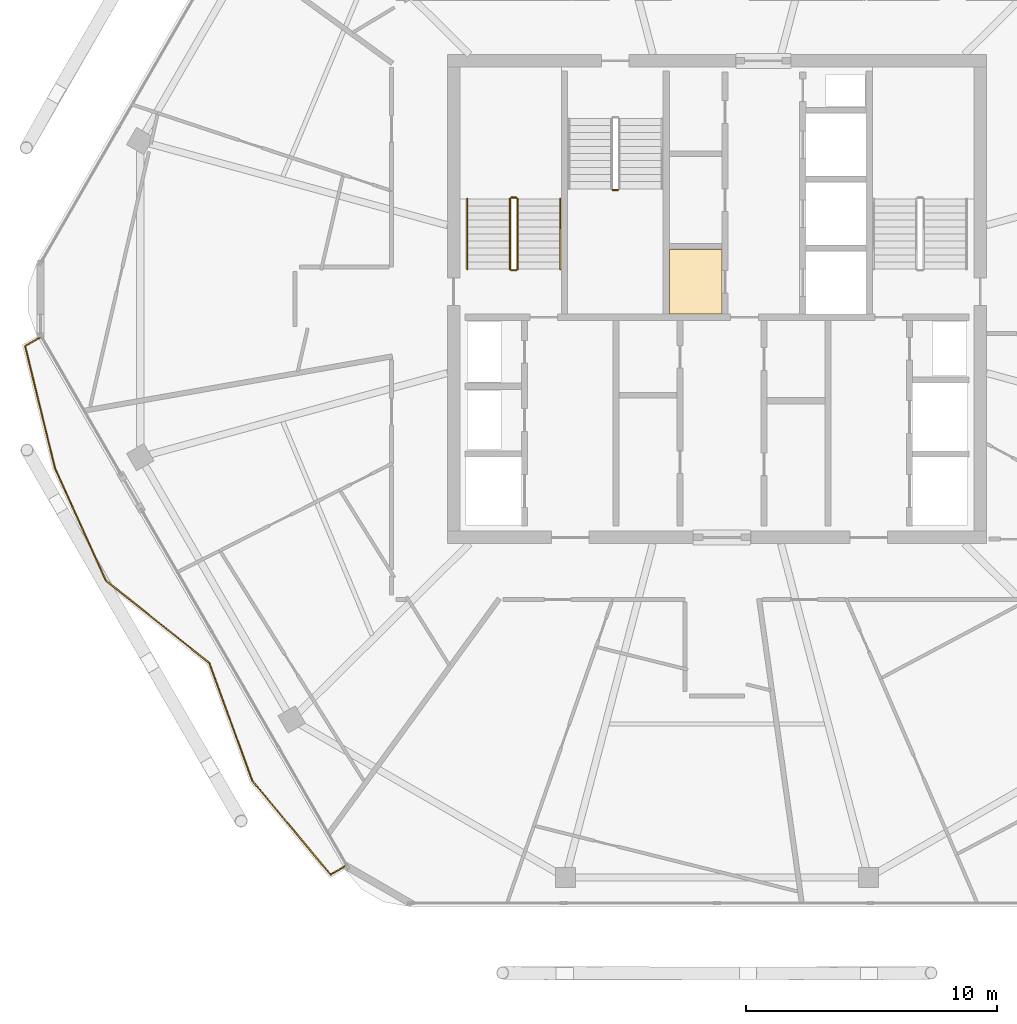
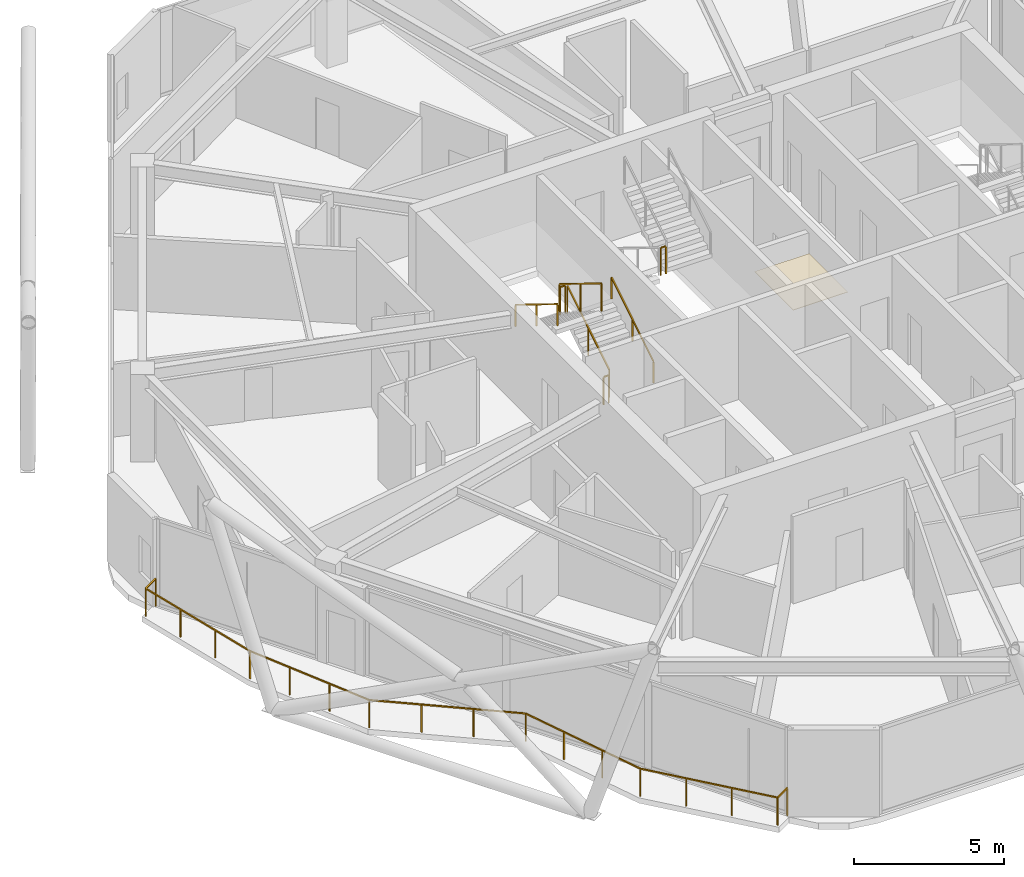
# One storey, part 22 of 24: 8 railings, 1 covering.
"""IFC4 building model written with IfcOpenShell, lengths in metres."""

from ifc_helpers import new_model, si_unit, direction, frame, origin, origin_2d, place, context, subcontext, project, spatial, polyline, rectangle, outline, extrude, material, layer, layer_set, type_object, element, save


model = new_model("IFC4")

# Units and contexts
model_context = context("Model", 3, precision=1e-05, world=origin(), true_north=direction((0.0, 1.0)))
body_context = subcontext(model_context, "Body", "Model", "MODEL_VIEW")
ifc_project = project(units=[si_unit("LENGTHUNIT", "METRE"), si_unit("AREAUNIT", "SQUARE_METRE"), si_unit("VOLUMEUNIT", "CUBIC_METRE"), si_unit("PLANEANGLEUNIT", "RADIAN"), si_unit("MASSUNIT", "GRAM", prefix="KILO")], contexts=[model_context])

# Site, building, storey
site_placement = place(None, origin())
site = spatial("IfcSite", under=ifc_project, at=site_placement, CompositionType="ELEMENT")
building_placement = place(site_placement, origin())
building = spatial("IfcBuilding", under=site, at=building_placement, Name="Zuhravey Tower", CompositionType="ELEMENT")
storey_placement = place(building_placement, frame((0.0, 0.0, 308.199951171875)))
storey = spatial("IfcBuildingStorey", under=building, at=storey_placement, Name="L78", CompositionType="ELEMENT", Elevation=308.199951171875)

# Railing
ifc_material_1 = material(Name="Stainless steel 316 and laminated glass", Category="steel")
railing_type_1 = type_object("IfcRailingType", Name="Balcony & Terrace Guardrail 1150", PredefinedType="BALUSTRADE", material=ifc_material_1)
railing_1_placement = place(storey_placement, frame((21.16162109375, 9.382568359375, 0.0)))
element("IfcRailing", 1, at=railing_1_placement, inside=storey, type_object=railing_type_1, Name="L78 Face 4 Wave Balcony Guardrail GR1", PredefinedType="BALUSTRADE", context=body_context, shape_type="SweptSolid", body=[
    extrude(rectangle(XDim=0.048095703125, YDim=0.048095703125, at=origin_2d()), frame((-0.001708984375, -0.0009765625, 1.1259765625), z_axis=(-0.866011978186, -0.500023253097, 0.0), x_axis=(0.500023253097, -0.866011978186, 0.0)), (0.0, 0.0, 1.0), 0.651611328125),
    extrude(rectangle(XDim=0.048095703125, YDim=0.048095703125, at=origin_2d()), frame((-0.569091796875, -0.326416015625, 1.1259765625), z_axis=(-0.640277921962, 0.768143334703, 0.0), x_axis=(-0.768143334703, -0.640277921962, 0.0)), (0.0, 0.0, 1.0), 4.87451171875),
    extrude(rectangle(XDim=0.048095703125, YDim=0.048095703125, at=origin_2d()), frame((-3.692138671875, 3.42138671875, 1.1259765625), z_axis=(-0.342406440794, 0.939551930072, 0.0), x_axis=(-0.939551930072, -0.342406440794, 0.0)), (0.0, 0.0, 1.0), 4.9892578125),
    extrude(rectangle(XDim=0.048095703125, YDim=0.048095703125, at=origin_2d()), frame((-5.402587890625, 8.112060546875, 1.1259765625), z_axis=(-0.781996119501, 0.623283297614, 0.0), x_axis=(-0.623283297614, -0.781996119501, 0.0)), (0.0, 0.0, 1.0), 5.272216796875),
    extrude(rectangle(XDim=0.048095703125, YDim=0.048095703125, at=origin_2d()), frame((-9.52783203125, 11.401123046875, 1.1259765625), z_axis=(-0.413096742766, 0.910687147772, 0.0), x_axis=(-0.910687147772, -0.413096742766, 0.0)), (0.0, 0.0, 1.0), 4.8935546875),
    extrude(rectangle(XDim=0.048095703125, YDim=0.048095703125, at=origin_2d()), frame((-11.55078125, 15.861572265625, 1.1259765625), z_axis=(-0.237459200092, 0.971397513015, 0.0), x_axis=(-0.971397513015, -0.237459200092, 0.0)), (0.0, 0.0, 1.0), 5.023681640625),
    extrude(rectangle(XDim=0.048095703125, YDim=0.048095703125, at=origin_2d()), frame((-12.742431640625, 20.744384765625, 1.1259765625), z_axis=(0.866020521143, 0.500008456887, 0.0), x_axis=(-0.500008456887, 0.866020521143, 0.0)), (0.0, 0.0, 1.0), 0.6611328125),
    extrude(rectangle(XDim=0.0419921875, YDim=0.0419921875, at=origin_2d()), origin(), (0.0, 0.0, 1.0), 1.099853515625),
    extrude(rectangle(XDim=0.0419921875, YDim=0.0419921875, at=origin_2d()), frame((-0.56787109375, -0.327880859375, 0.0)), (0.0, 0.0, 1.0), 1.099853515625),
    extrude(rectangle(XDim=0.0419921875, YDim=0.0419921875, at=origin_2d()), frame((-1.609130859375, 0.921142578125, 0.0)), (0.0, 0.0, 1.0), 1.099853515625),
    extrude(rectangle(XDim=0.0419921875, YDim=0.0419921875, at=origin_2d()), frame((-2.650146484375, 2.17041015625, 0.0)), (0.0, 0.0, 1.0), 1.099853515625),
    extrude(rectangle(XDim=0.0419921875, YDim=0.0419921875, at=origin_2d()), frame((-3.69140625, 3.41943359375, 0.0)), (0.0, 0.0, 1.0), 1.099853515625),
    extrude(rectangle(XDim=0.0419921875, YDim=0.0419921875, at=origin_2d()), frame((-4.26123046875, 4.983154296875, 0.0)), (0.0, 0.0, 1.0), 1.099853515625),
    extrude(rectangle(XDim=0.0419921875, YDim=0.0419921875, at=origin_2d()), frame((-4.831298828125, 6.547119140625, 0.0)), (0.0, 0.0, 1.0), 1.099853515625),
    extrude(rectangle(XDim=0.0419921875, YDim=0.0419921875, at=origin_2d()), frame((-5.401123046875, 8.11083984375, 0.0)), (0.0, 0.0, 1.0), 1.099853515625),
    extrude(rectangle(XDim=0.0419921875, YDim=0.0419921875, at=origin_2d()), frame((-6.7763671875, 9.20703125, 0.0)), (0.0, 0.0, 1.0), 1.099853515625),
    extrude(rectangle(XDim=0.0419921875, YDim=0.0419921875, at=origin_2d()), frame((-8.15185546875, 10.30322265625, 0.0)), (0.0, 0.0, 1.0), 1.099853515625),
    extrude(rectangle(XDim=0.0419921875, YDim=0.0419921875, at=origin_2d()), frame((-9.527099609375, 11.3994140625, 0.0)), (0.0, 0.0, 1.0), 1.099853515625),
    extrude(rectangle(XDim=0.0419921875, YDim=0.0419921875, at=origin_2d()), frame((-10.201416015625, 12.88623046875, 0.0)), (0.0, 0.0, 1.0), 1.099853515625),
    extrude(rectangle(XDim=0.0419921875, YDim=0.0419921875, at=origin_2d()), frame((-10.8759765625, 14.372802734375, 0.0)), (0.0, 0.0, 1.0), 1.099853515625),
    extrude(rectangle(XDim=0.0419921875, YDim=0.0419921875, at=origin_2d()), frame((-11.55029296875, 15.859619140625, 0.0)), (0.0, 0.0, 1.0), 1.099853515625),
    extrude(rectangle(XDim=0.0419921875, YDim=0.0419921875, at=origin_2d()), frame((-11.9482421875, 17.487548828125, 0.0)), (0.0, 0.0, 1.0), 1.099853515625),
    extrude(rectangle(XDim=0.0419921875, YDim=0.0419921875, at=origin_2d()), frame((-12.34619140625, 19.115478515625, 0.0)), (0.0, 0.0, 1.0), 1.099853515625),
    extrude(rectangle(XDim=0.0419921875, YDim=0.0419921875, at=origin_2d()), frame((-12.744140625, 20.743408203125, 0.0)), (0.0, 0.0, 1.0), 1.099853515625),
    extrude(rectangle(XDim=0.0419921875, YDim=0.0419921875, at=origin_2d()), frame((-12.168212890625, 21.075927734375, 0.0)), (0.0, 0.0, 1.0), 1.099853515625),
])

# Covering
ifc_material_2 = material(Name="Moisture-resistant gypsum ceiling board")
ifc_layer = layer(ifc_material_2, 0.02001953125)
ifc_layer_set = layer_set([ifc_layer], Name="Moisture-resistant gypsum ceiling board")
covering_type = type_object("IfcCoveringType", Name="Moisture-Resistant Ceiling", PredefinedType="CEILING", material=ifc_layer_set)
covering_placement = place(storey_placement, frame((0.0, 0.0, 2.68994140625)))
element("IfcCovering", 2, at=covering_placement, inside=storey, type_object=covering_type, Name="L78 Wet-Room Ceiling CLG2", PredefinedType="CEILING", context=body_context, shape_type="SweptSolid", body=[
    extrude(outline(polyline([(36.199951171875, 31.39990234375), (36.199951171875, 33.97998046875), (34.10009765625, 33.97998046875), (34.10009765625, 31.39990234375), (36.199951171875, 31.39990234375)])), origin(), (0.0, 0.0, 1.0), 0.02001953125),
])

# Railings
ifc_material_3 = material(Name="Brushed stainless steel", Category="steel")
railing_type_2 = type_object("IfcRailingType", Name="Stair Wall Handrail 900", PredefinedType="HANDRAIL", material=ifc_material_3)
railing_2_placement = place(storey_placement, frame((29.75, 33.199951171875, 0.1728515625)))
element("IfcRailing", 3, at=railing_2_placement, inside=storey, type_object=railing_type_2, Name="L78 ST1 stair handrail 1", PredefinedType="HANDRAIL", context=body_context, shape_type="SweptSolid", body=[
    extrude(rectangle(XDim=0.048095703125, YDim=0.048095703125, at=origin_2d()), frame((0.0, 0.001708984375, 0.876953125), z_axis=(0.0, 0.851089632645, 0.525020415988), x_axis=(-1.0, 0.0, 0.0)), (0.0, 0.0, 1.0), 3.285888671875),
    extrude(rectangle(XDim=0.0419921875, YDim=0.0419921875, at=origin_2d()), origin(), (0.0, 0.0, 1.0), 0.849853515625),
    extrude(rectangle(XDim=0.0419921875, YDim=0.0419921875, at=origin_2d()), frame((0.0, 1.39990234375, 0.86376953125)), (0.0, 0.0, 1.0), 0.849853515625),
    extrude(rectangle(XDim=0.0419921875, YDim=0.0419921875, at=origin_2d()), frame((0.0, 2.800048828125, 1.727294921875)), (0.0, 0.0, 1.0), 0.849853515625),
])
railing_3_placement = place(storey_placement, frame((26.050048828125, 36.0, 2.07275390625)))
element("IfcRailing", 4, at=railing_3_placement, inside=storey, type_object=railing_type_2, Name="L78 ST1 stair handrail 2", PredefinedType="HANDRAIL", context=body_context, shape_type="SweptSolid", body=[
    extrude(rectangle(XDim=0.048095703125, YDim=0.048095703125, at=origin_2d()), frame((0.0, -0.001708984375, 0.876953125), z_axis=(0.0, -0.851089632645, 0.525020415988), x_axis=(1.0, 0.0, 0.0)), (0.0, 0.0, 1.0), 3.285888671875),
    extrude(rectangle(XDim=0.0419921875, YDim=0.0419921875, at=origin_2d()), origin(), (0.0, 0.0, 1.0), 0.849853515625),
    extrude(rectangle(XDim=0.0419921875, YDim=0.0419921875, at=origin_2d()), frame((0.0, -1.39990234375, 0.86376953125)), (0.0, 0.0, 1.0), 0.849853515625),
    extrude(rectangle(XDim=0.0419921875, YDim=0.0419921875, at=origin_2d()), frame((0.0, -2.800048828125, 1.727294921875)), (0.0, 0.0, 1.0), 0.849853515625),
])
ifc_material_4 = material(Name="Painted tubular steel", Category="steel")
railing_type_3 = type_object("IfcRailingType", Name="Stair Well Guardrail 1150", PredefinedType="GUARDRAIL", material=ifc_material_4)
railing_4_placement = place(storey_placement, frame((28.050048828125, 33.199951171875, 0.1728515625)))
element("IfcRailing", 5, at=railing_4_placement, inside=storey, type_object=railing_type_3, Name="L78 ST1 stair guard 1", PredefinedType="GUARDRAIL", context=body_context, shape_type="SweptSolid", body=[
    extrude(rectangle(XDim=0.048095703125, YDim=0.048095703125, at=origin_2d()), frame((0.0, 0.001708984375, 1.126953125), z_axis=(0.0, 0.851089632645, 0.525020415988), x_axis=(-1.0, 0.0, 0.0)), (0.0, 0.0, 1.0), 3.285888671875),
    extrude(rectangle(XDim=0.0419921875, YDim=0.0419921875, at=origin_2d()), origin(), (0.0, 0.0, 1.0), 1.099853515625),
    extrude(rectangle(XDim=0.0419921875, YDim=0.0419921875, at=origin_2d()), frame((0.0, 1.39990234375, 0.86376953125)), (0.0, 0.0, 1.0), 1.099853515625),
    extrude(rectangle(XDim=0.0419921875, YDim=0.0419921875, at=origin_2d()), frame((0.0, 2.800048828125, 1.727294921875)), (0.0, 0.0, 1.0), 1.099853515625),
])
railing_5_placement = place(storey_placement, frame((28.0, 36.050048828125, 1.900146484375)))
element("IfcRailing", 6, at=railing_5_placement, inside=storey, type_object=railing_type_3, Name="L78 ST1 stair guard 2", PredefinedType="GUARDRAIL", context=body_context, shape_type="SweptSolid", body=[
    extrude(rectangle(XDim=0.048095703125, YDim=0.048095703125, at=origin_2d()), frame((-0.001953125, 0.0, 1.1259765625), z_axis=(-1.0, 0.0, 0.0), x_axis=(0.0, -1.0, 0.0)), (0.0, 0.0, 1.0), 0.196044921875),
    extrude(rectangle(XDim=0.0419921875, YDim=0.0419921875, at=origin_2d()), origin(), (0.0, 0.0, 1.0), 1.099853515625),
    extrude(rectangle(XDim=0.0419921875, YDim=0.0419921875, at=origin_2d()), frame((-0.199951171875, 0.0, 0.0)), (0.0, 0.0, 1.0), 1.099853515625),
])
railing_6_placement = place(storey_placement, frame((27.75, 36.0, 2.07275390625)))
element("IfcRailing", 7, at=railing_6_placement, inside=storey, type_object=railing_type_3, Name="L78 ST1 stair guard 3", PredefinedType="GUARDRAIL", context=body_context, shape_type="SweptSolid", body=[
    extrude(rectangle(XDim=0.048095703125, YDim=0.048095703125, at=origin_2d()), frame((0.0, -0.001708984375, 1.126953125), z_axis=(0.0, -0.851089632645, 0.525020415988), x_axis=(1.0, 0.0, 0.0)), (0.0, 0.0, 1.0), 3.285888671875),
    extrude(rectangle(XDim=0.0419921875, YDim=0.0419921875, at=origin_2d()), origin(), (0.0, 0.0, 1.0), 1.099853515625),
    extrude(rectangle(XDim=0.0419921875, YDim=0.0419921875, at=origin_2d()), frame((0.0, -1.39990234375, 0.86376953125)), (0.0, 0.0, 1.0), 1.099853515625),
    extrude(rectangle(XDim=0.0419921875, YDim=0.0419921875, at=origin_2d()), frame((0.0, -2.800048828125, 1.727294921875)), (0.0, 0.0, 1.0), 1.099853515625),
])
railing_7_placement = place(storey_placement, frame((28.0, 33.14990234375, 0.0)))
element("IfcRailing", 8, at=railing_7_placement, inside=storey, type_object=railing_type_3, Name="L78 ST1 stair guard 4", PredefinedType="GUARDRAIL", context=body_context, shape_type="SweptSolid", body=[
    extrude(rectangle(XDim=0.048095703125, YDim=0.048095703125, at=origin_2d()), frame((-0.001953125, 0.0, 1.1259765625), z_axis=(-1.0, 0.0, 0.0), x_axis=(0.0, -1.0, 0.0)), (0.0, 0.0, 1.0), 0.196044921875),
    extrude(rectangle(XDim=0.0419921875, YDim=0.0419921875, at=origin_2d()), origin(), (0.0, 0.0, 1.0), 1.099853515625),
    extrude(rectangle(XDim=0.0419921875, YDim=0.0419921875, at=origin_2d()), frame((-0.199951171875, 0.0, 0.0)), (0.0, 0.0, 1.0), 1.099853515625),
])
railing_8_placement = place(storey_placement, frame((31.85009765625, 36.35009765625, 1.900146484375)))
element("IfcRailing", 9, at=railing_8_placement, inside=storey, type_object=railing_type_3, Name="L78 ST3 stair guard 2", PredefinedType="GUARDRAIL", context=body_context, shape_type="SweptSolid", body=[
    extrude(rectangle(XDim=0.048095703125, YDim=0.048095703125, at=origin_2d()), frame((0.001953125, 0.0, 1.1259765625), z_axis=(1.0, 0.0, 0.0), x_axis=(0.0, 1.0, 0.0)), (0.0, 0.0, 1.0), 0.196044921875),
    extrude(rectangle(XDim=0.0419921875, YDim=0.0419921875, at=origin_2d()), origin(), (0.0, 0.0, 1.0), 1.099853515625),
    extrude(rectangle(XDim=0.0419921875, YDim=0.0419921875, at=origin_2d()), frame((0.199951171875, 0.0, 0.0)), (0.0, 0.0, 1.0), 1.099853515625),
])

save(model, "model.ifc")
